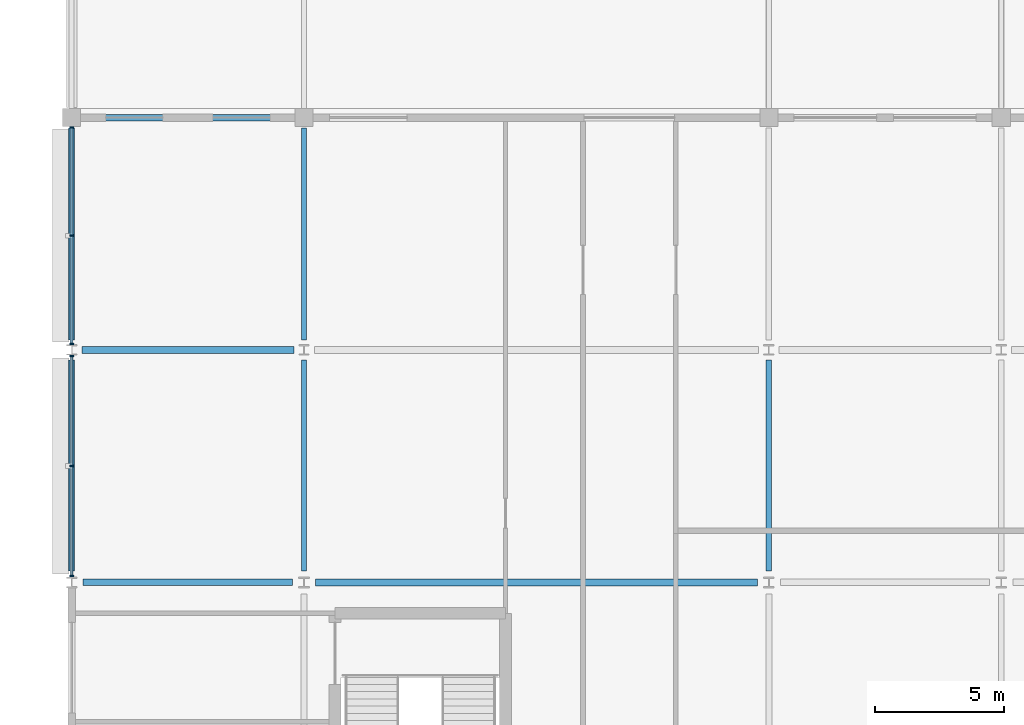
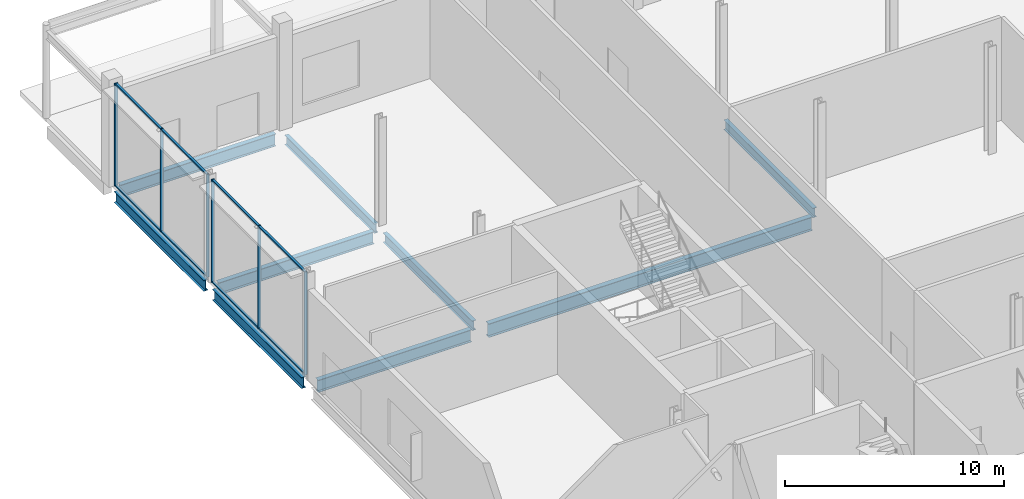
# One storey, part 22 of 84: 14 members, 9 beams, 2 elements without a shape of their own.
"""IFC4 building model written with IfcOpenShell, lengths in metres."""

from ifc_helpers import new_model, si_unit, direction, frame, origin, origin_2d, place, context, subcontext, project, spatial, rectangle, i_section, extrude, material, layer, layer_set, material_profile, profile_set, type_object, element, aggregate, save


model = new_model("IFC4")

# Units and contexts
model_context = context("Model", 3, precision=1e-05, world=origin(), true_north=direction((0.0, 1.0)))
body_context = subcontext(model_context, "Body", "Model", "MODEL_VIEW")
ifc_project = project(units=[si_unit("LENGTHUNIT", "METRE"), si_unit("AREAUNIT", "SQUARE_METRE"), si_unit("VOLUMEUNIT", "CUBIC_METRE"), si_unit("PLANEANGLEUNIT", "RADIAN"), si_unit("MASSUNIT", "GRAM", prefix="KILO")], contexts=[model_context])

# Site, building, storey
site_placement = place(None, origin())
site = spatial("IfcSite", under=ifc_project, at=site_placement, CompositionType="ELEMENT")
building_placement = place(site_placement, origin())
building = spatial("IfcBuilding", under=site, at=building_placement, Name="Kisiwana Market Hall", CompositionType="ELEMENT")
storey_placement = place(building_placement, origin())
storey = spatial("IfcBuildingStorey", under=building, at=storey_placement, Name="L00", CompositionType="ELEMENT", Elevation=0.0)

# Beams
ifc_material_1 = material(Name="Steel S355", Category="steel")
ifc_material_profile_1 = material_profile(ifc_material_1, i_section(OverallWidth=0.209228515625, OverallDepth=0.533203125, WebThickness=0.010009765625, FlangeThickness=0.015625, at=origin_2d()), Name="UB 533x210x92")
ifc_profile_set_1 = profile_set([ifc_material_profile_1], Name="Steel S355")
beam_type_1 = type_object("IfcBeamType", Name="BM-GIRD-UB533", PredefinedType="BEAM", material=ifc_profile_set_1)
beam_1_placement = place(storey_placement, frame((9.0, 102.446044921875, -0.526611328125), z_axis=(0.0, 1.0, 0.0), x_axis=(-1.0, 0.0, 0.0)))
element("IfcBeam", 1, at=beam_1_placement, inside=storey, type_object=beam_type_1, Name="Primary girder B-0011", PredefinedType="BEAM", context=body_context, shape_type="SweptSolid", body=[
    extrude(i_section(OverallWidth=0.209228515625, OverallDepth=0.533203125, WebThickness=0.010009765625, FlangeThickness=0.015625, at=origin_2d()), origin(), (0.0, 0.0, 1.0), 8.157958984375),
])
beam_2_placement = place(storey_placement, frame((9.0, 111.39599609375, -0.526611328125), z_axis=(0.0, 1.0, 0.0), x_axis=(-1.0, 0.0, 0.0)))
element("IfcBeam", 2, at=beam_2_placement, inside=storey, type_object=beam_type_1, Name="Primary girder B-0012", PredefinedType="BEAM", context=body_context, shape_type="SweptSolid", body=[
    extrude(i_section(OverallWidth=0.209228515625, OverallDepth=0.533203125, WebThickness=0.010009765625, FlangeThickness=0.015625, at=origin_2d()), origin(), (0.0, 0.0, 1.0), 8.2080078125),
])
beam_3_placement = place(storey_placement, frame((27.0, 102.446044921875, -0.526611328125), z_axis=(0.0, 1.0, 0.0), x_axis=(-1.0, 0.0, 0.0)))
element("IfcBeam", 3, at=beam_3_placement, inside=storey, type_object=beam_type_1, Name="Primary girder B-0018", PredefinedType="BEAM", context=body_context, shape_type="SweptSolid", body=[
    extrude(i_section(OverallWidth=0.209228515625, OverallDepth=0.533203125, WebThickness=0.010009765625, FlangeThickness=0.015625, at=origin_2d()), origin(), (0.0, 0.0, 1.0), 8.157958984375),
])
ifc_material_2 = material(Name="Steel S355", Category="steel")
ifc_material_profile_2 = material_profile(ifc_material_2, i_section(OverallWidth=0.22900390625, OverallDepth=0.6123046875, WebThickness=0.011962890625, FlangeThickness=0.01953125, at=origin_2d()), Name="UB 610x229x125")
ifc_profile_set_2 = profile_set([ifc_material_profile_2], Name="Steel S355")
beam_type_2 = type_object("IfcBeamType", Name="BM-GIRD-UB610H", PredefinedType="BEAM", material=ifc_profile_set_2)
beam_4_placement = place(storey_placement, frame((0.0, 102.446044921875, -0.566162109375), z_axis=(0.0, 1.0, 0.0), x_axis=(-1.0, 0.0, 0.0)))
element("IfcBeam", 4, at=beam_4_placement, inside=storey, type_object=beam_type_2, Name="Floor beam B-0279", PredefinedType="BEAM", context=body_context, shape_type="SweptSolid", body=[
    extrude(i_section(OverallWidth=0.22900390625, OverallDepth=0.6123046875, WebThickness=0.011962890625, FlangeThickness=0.01953125, at=origin_2d()), origin(), (0.0, 0.0, 1.0), 8.157958984375),
])
beam_5_placement = place(storey_placement, frame((0.0, 111.39599609375, -0.566162109375), z_axis=(0.0, 1.0, 0.0), x_axis=(-1.0, 0.0, 0.0)))
element("IfcBeam", 5, at=beam_5_placement, inside=storey, type_object=beam_type_2, Name="Floor beam B-0280", PredefinedType="BEAM", context=body_context, shape_type="SweptSolid", body=[
    extrude(i_section(OverallWidth=0.22900390625, OverallDepth=0.6123046875, WebThickness=0.011962890625, FlangeThickness=0.01953125, at=origin_2d()), origin(), (0.0, 0.0, 1.0), 8.2080078125),
])
ifc_material_3 = material(Name="Steel S355", Category="steel")
ifc_material_profile_3 = material_profile(ifc_material_3, i_section(OverallWidth=0.253662109375, OverallDepth=0.68359375, WebThickness=0.012451171875, FlangeThickness=0.01904296875, at=origin_2d()), Name="UB 686x254x140")
ifc_profile_set_3 = profile_set([ifc_material_profile_3], Name="Steel S355")
beam_type_3 = type_object("IfcBeamType", Name="BM-GIRD-UB686", PredefinedType="BEAM", material=ifc_profile_set_3)
beam_6_placement = place(storey_placement, frame((0.446044921875, 102.0, -0.601806640625), z_axis=(1.0, 0.0, 0.0), x_axis=(0.0, 1.0, 0.0)))
element("IfcBeam", 6, at=beam_6_placement, inside=storey, type_object=beam_type_3, Name="Floor beam B-0223", PredefinedType="BEAM", context=body_context, shape_type="SweptSolid", body=[
    extrude(i_section(OverallWidth=0.253662109375, OverallDepth=0.68359375, WebThickness=0.012451171875, FlangeThickness=0.01904296875, at=origin_2d()), origin(), (0.0, 0.0, 1.0), 8.10791015625),
])
for number, where, z_axis, x_axis, name in (
    (7, (0.39599609375, 111.0, -0.601806640625), (1.0, 0.0, 0.0), (0.0, 1.0, 0.0), "Floor beam B-0237"),
    (8, (0.39599609375, 120.0, -0.601806640625), (1.0, 0.0, 0.0), (0.0, 1.0, 0.0), "Floor beam B-0245"),
):
    element("IfcBeam", number, at=place(storey_placement, frame(where, z_axis=z_axis, x_axis=x_axis)), inside=storey, type_object=beam_type_3, Name=name, PredefinedType="BEAM", context=body_context, shape_type="SweptSolid", body=[
        extrude(i_section(OverallWidth=0.253662109375, OverallDepth=0.68359375, WebThickness=0.012451171875, FlangeThickness=0.01904296875, at=origin_2d()), origin(), (0.0, 0.0, 1.0), 8.2080078125),
    ])
ifc_material_4 = material(Name="Steel S355", Category="steel")
ifc_material_profile_4 = material_profile(ifc_material_4, i_section(OverallWidth=0.2666015625, OverallDepth=0.76220703125, WebThickness=0.014404296875, FlangeThickness=0.021484375, at=origin_2d()), Name="UB 762x267x173")
ifc_profile_set_4 = profile_set([ifc_material_profile_4], Name="Steel S355")
beam_type_4 = type_object("IfcBeamType", Name="BM-GIRD-UB762", PredefinedType="BEAM", material=ifc_profile_set_4)
beam_7_placement = place(storey_placement, frame((9.446044921875, 102.0, -0.64111328125), z_axis=(1.0, 0.0, 0.0), x_axis=(0.0, 1.0, 0.0)))
element("IfcBeam", 9, at=beam_7_placement, inside=storey, type_object=beam_type_4, Name="Floor beam B-0224", PredefinedType="BEAM", context=body_context, shape_type="SweptSolid", body=[
    extrude(i_section(OverallWidth=0.2666015625, OverallDepth=0.76220703125, WebThickness=0.014404296875, FlangeThickness=0.021484375, at=origin_2d()), origin(), (0.0, 0.0, 1.0), 17.10791015625),
])

# Curtain wall, members
ifc_material_5 = material(Name="Double-glazed solar-control low-E IGU", Category="glass")
ifc_layer = layer(ifc_material_5, 0.159912109375)
ifc_layer_set = layer_set([ifc_layer], Name="CW-FOY-W-6800")
curtain_wall_type = type_object("IfcCurtainWallType", Name="CW-FOY-W-6800", PredefinedType="USERDEFINED", material=ifc_layer_set)
curtain_wall_1_placement = place(storey_placement, origin())
curtain_wall_1 = element("IfcCurtainWall", 10, at=curtain_wall_1_placement, inside=storey, type_object=curtain_wall_type, Name="Unitised curtain wall CW-001 (L00)", ObjectType="UNITISED CURTAIN WALL", PredefinedType="USERDEFINED")
ifc_material_6 = material(Name="Aluminium alloy 6063-T6", Category="aluminium")
ifc_material_profile_5 = material_profile(ifc_material_6, rectangle(XDim=0.06005859375, YDim=0.159912109375, at=origin_2d()), Name="ALU MULLION 60x160")
ifc_profile_set_5 = profile_set([ifc_material_profile_5], Name="Aluminium alloy 6063-T6")
member_type_1 = type_object("IfcMemberType", Name="CW-MULL-60x160", PredefinedType="MULLION", material=ifc_profile_set_5)
member_1_placement = place(storey_placement, frame((0.0, 102.24755859375, 0.0), z_axis=(0.0, 0.0, 1.0), x_axis=(0.0, 1.0, 0.0)))
member_1 = element("IfcMember", 11, at=member_1_placement, type_object=member_type_1, Name="CW-001 mullion 1", PredefinedType="MULLION", context=body_context, shape_type="SweptSolid", body=[
    extrude(rectangle(XDim=0.06005859375, YDim=0.159912109375, at=origin_2d()), origin(), (0.0, 0.0, 1.0), 5.75),
])
member_2_placement = place(storey_placement, frame((0.0, 106.507080078125, 0.0), z_axis=(0.0, 0.0, 1.0), x_axis=(0.0, 1.0, 0.0)))
member_2 = element("IfcMember", 12, at=member_2_placement, type_object=member_type_1, Name="CW-001 mullion 2", PredefinedType="MULLION", context=body_context, shape_type="SweptSolid", body=[
    extrude(rectangle(XDim=0.06005859375, YDim=0.159912109375, at=origin_2d()), origin(), (0.0, 0.0, 1.0), 5.75),
])
member_3_placement = place(storey_placement, frame((0.0, 110.766845703125, 0.0), z_axis=(0.0, 0.0, 1.0), x_axis=(0.0, 1.0, 0.0)))
member_3 = element("IfcMember", 13, at=member_3_placement, type_object=member_type_1, Name="CW-001 mullion 3", PredefinedType="MULLION", context=body_context, shape_type="SweptSolid", body=[
    extrude(rectangle(XDim=0.06005859375, YDim=0.159912109375, at=origin_2d()), origin(), (0.0, 0.0, 1.0), 5.75),
])

curtain_wall_2_placement = place(storey_placement, origin())
curtain_wall_2 = element("IfcCurtainWall", 14, at=curtain_wall_2_placement, inside=storey, type_object=curtain_wall_type, Name="Unitised curtain wall CW-002 (L00)", ObjectType="UNITISED CURTAIN WALL", PredefinedType="USERDEFINED")
member_4_placement = place(storey_placement, frame((0.0, 111.233154296875, 0.0), z_axis=(0.0, 0.0, 1.0), x_axis=(0.0, 1.0, 0.0)))
member_4 = element("IfcMember", 15, at=member_4_placement, type_object=member_type_1, Name="CW-002 mullion 1", PredefinedType="MULLION", context=body_context, shape_type="SweptSolid", body=[
    extrude(rectangle(XDim=0.06005859375, YDim=0.159912109375, at=origin_2d()), origin(), (0.0, 0.0, 1.0), 5.75),
])
member_5_placement = place(storey_placement, frame((0.0, 115.426513671875, 0.0), z_axis=(0.0, 0.0, 1.0), x_axis=(0.0, 1.0, 0.0)))
member_5 = element("IfcMember", 16, at=member_5_placement, type_object=member_type_1, Name="CW-002 mullion 2", PredefinedType="MULLION", context=body_context, shape_type="SweptSolid", body=[
    extrude(rectangle(XDim=0.06005859375, YDim=0.159912109375, at=origin_2d()), origin(), (0.0, 0.0, 1.0), 5.75),
])
member_6_placement = place(storey_placement, frame((0.0, 119.6201171875, 0.0), z_axis=(0.0, 0.0, 1.0), x_axis=(0.0, 1.0, 0.0)))
member_6 = element("IfcMember", 17, at=member_6_placement, type_object=member_type_1, Name="CW-002 mullion 3", PredefinedType="MULLION", context=body_context, shape_type="SweptSolid", body=[
    extrude(rectangle(XDim=0.06005859375, YDim=0.159912109375, at=origin_2d()), origin(), (0.0, 0.0, 1.0), 5.75),
])

# Member
ifc_material_7 = material(Name="Aluminium alloy 6063-T6", Category="aluminium")
ifc_material_profile_6 = material_profile(ifc_material_7, rectangle(XDim=0.1201171875, YDim=0.06005859375, at=origin_2d()), Name="ALU TRANSOM 60x120")
ifc_profile_set_6 = profile_set([ifc_material_profile_6], Name="Aluminium alloy 6063-T6")
member_type_2 = type_object("IfcMemberType", Name="CW-TRAN-60x120", PredefinedType="USERDEFINED", material=ifc_profile_set_6)
member_7_placement = place(storey_placement, frame((0.0, 102.277587890625, 0.030029296875), z_axis=(0.0, 1.0, 0.0), x_axis=(-1.0, 0.0, 0.0)))
member_7 = element("IfcMember", 18, at=member_7_placement, type_object=member_type_2, Name="CW-001 transom 1.1", ObjectType="TRANSOM", PredefinedType="USERDEFINED", context=body_context, shape_type="SweptSolid", body=[
    extrude(rectangle(XDim=0.1201171875, YDim=0.06005859375, at=origin_2d()), origin(), (0.0, 0.0, 1.0), 4.199462890625),
])

member_8_placement = place(storey_placement, frame((0.0, 102.277587890625, 5.719970703125), z_axis=(0.0, 1.0, 0.0), x_axis=(-1.0, 0.0, 0.0)))
member_8 = element("IfcMember", 19, at=member_8_placement, type_object=member_type_2, Name="CW-001 transom 1.2", ObjectType="TRANSOM", PredefinedType="USERDEFINED", context=body_context, shape_type="SweptSolid", body=[
    extrude(rectangle(XDim=0.1201171875, YDim=0.06005859375, at=origin_2d()), origin(), (0.0, 0.0, 1.0), 4.199462890625),
])

member_9_placement = place(storey_placement, frame((0.0, 106.537109375, 0.030029296875), z_axis=(0.0, 1.0, 0.0), x_axis=(-1.0, 0.0, 0.0)))
member_9 = element("IfcMember", 20, at=member_9_placement, type_object=member_type_2, Name="CW-001 transom 2.1", ObjectType="TRANSOM", PredefinedType="USERDEFINED", context=body_context, shape_type="SweptSolid", body=[
    extrude(rectangle(XDim=0.1201171875, YDim=0.06005859375, at=origin_2d()), origin(), (0.0, 0.0, 1.0), 4.19970703125),
])

member_10_placement = place(storey_placement, frame((0.0, 106.537109375, 5.719970703125), z_axis=(0.0, 1.0, 0.0), x_axis=(-1.0, 0.0, 0.0)))
member_10 = element("IfcMember", 21, at=member_10_placement, type_object=member_type_2, Name="CW-001 transom 2.2", ObjectType="TRANSOM", PredefinedType="USERDEFINED", context=body_context, shape_type="SweptSolid", body=[
    extrude(rectangle(XDim=0.1201171875, YDim=0.06005859375, at=origin_2d()), origin(), (0.0, 0.0, 1.0), 4.19970703125),
])

aggregate(curtain_wall_1, [member_1, member_2, member_3, member_7, member_8, member_9, member_10])

member_11_placement = place(storey_placement, frame((0.0, 111.26318359375, 0.030029296875), z_axis=(0.0, 1.0, 0.0), x_axis=(-1.0, 0.0, 0.0)))
member_11 = element("IfcMember", 22, at=member_11_placement, type_object=member_type_2, Name="CW-002 transom 1.1", ObjectType="TRANSOM", PredefinedType="USERDEFINED", context=body_context, shape_type="SweptSolid", body=[
    extrude(rectangle(XDim=0.1201171875, YDim=0.06005859375, at=origin_2d()), origin(), (0.0, 0.0, 1.0), 4.13330078125),
])

member_12_placement = place(storey_placement, frame((0.0, 111.26318359375, 5.719970703125), z_axis=(0.0, 1.0, 0.0), x_axis=(-1.0, 0.0, 0.0)))
member_12 = element("IfcMember", 23, at=member_12_placement, type_object=member_type_2, Name="CW-002 transom 1.2", ObjectType="TRANSOM", PredefinedType="USERDEFINED", context=body_context, shape_type="SweptSolid", body=[
    extrude(rectangle(XDim=0.1201171875, YDim=0.06005859375, at=origin_2d()), origin(), (0.0, 0.0, 1.0), 4.13330078125),
])

member_13_placement = place(storey_placement, frame((0.0, 115.45654296875, 0.030029296875), z_axis=(0.0, 1.0, 0.0), x_axis=(-1.0, 0.0, 0.0)))
member_13 = element("IfcMember", 24, at=member_13_placement, type_object=member_type_2, Name="CW-002 transom 2.1", ObjectType="TRANSOM", PredefinedType="USERDEFINED", context=body_context, shape_type="SweptSolid", body=[
    extrude(rectangle(XDim=0.1201171875, YDim=0.06005859375, at=origin_2d()), origin(), (0.0, 0.0, 1.0), 4.133544921875),
])

member_14_placement = place(storey_placement, frame((0.0, 115.45654296875, 5.719970703125), z_axis=(0.0, 1.0, 0.0), x_axis=(-1.0, 0.0, 0.0)))
member_14 = element("IfcMember", 25, at=member_14_placement, type_object=member_type_2, Name="CW-002 transom 2.2", ObjectType="TRANSOM", PredefinedType="USERDEFINED", context=body_context, shape_type="SweptSolid", body=[
    extrude(rectangle(XDim=0.1201171875, YDim=0.06005859375, at=origin_2d()), origin(), (0.0, 0.0, 1.0), 4.133544921875),
])

aggregate(curtain_wall_2, [member_4, member_5, member_6, member_11, member_12, member_13, member_14])

save(model, "model.ifc")
